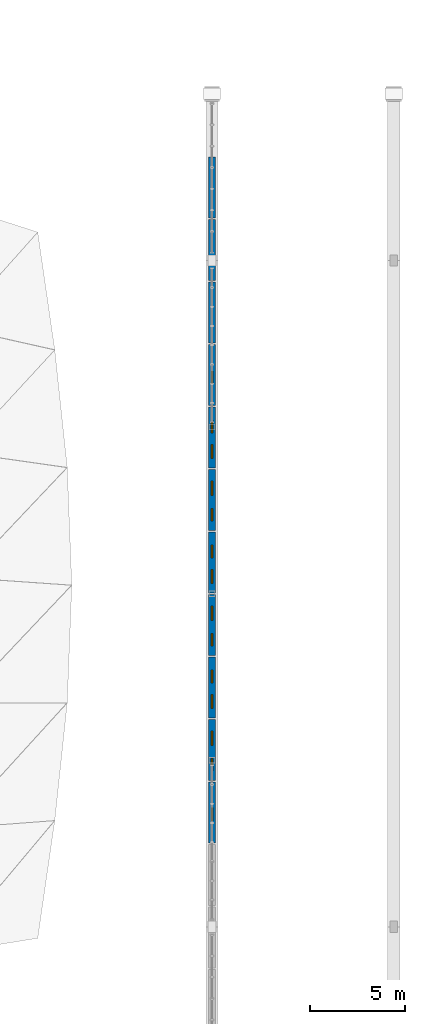
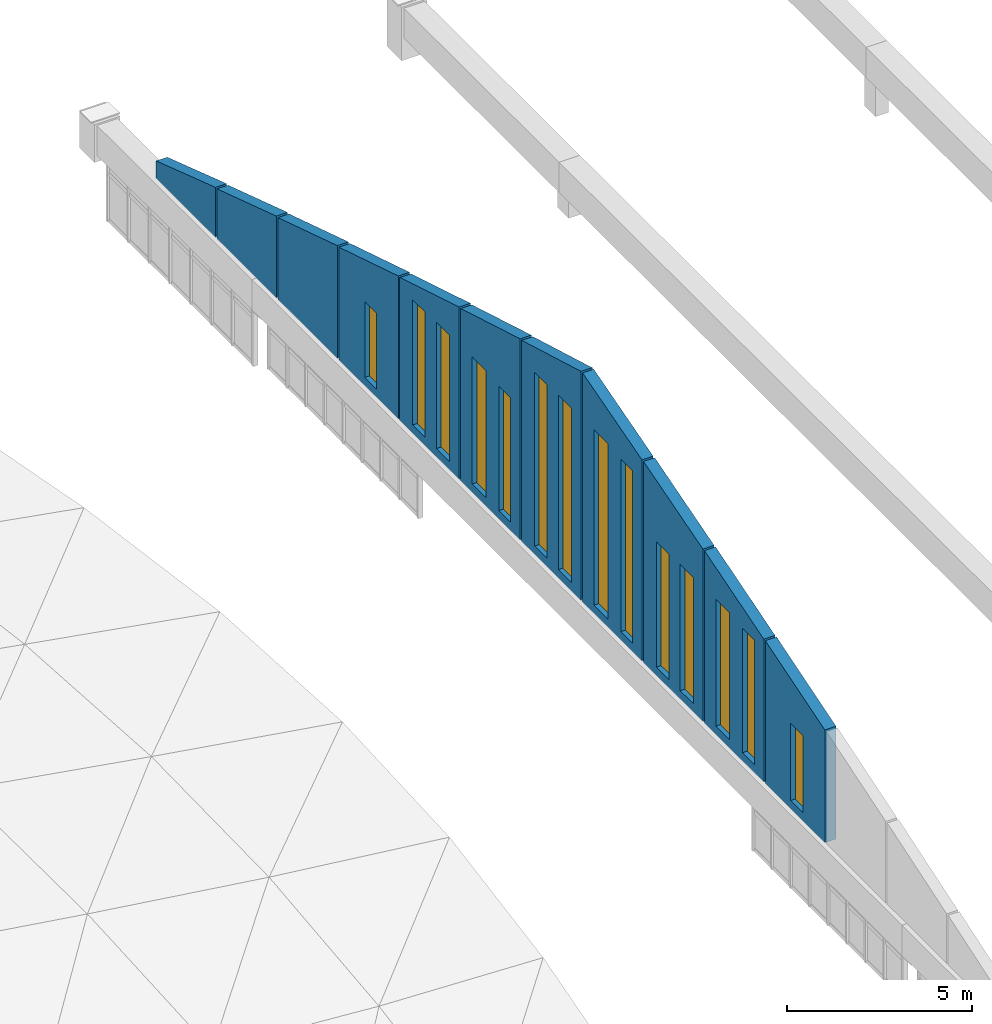
# One storey, part 58 of 65: 14 windows, 11 walls, 14 openings.
"""IFC4 building model written with IfcOpenShell, lengths in metres."""

from ifc_helpers import new_model, si_unit, direction, frame, frame_2d, origin, place, context, subcontext, project, spatial, polyline, rectangle, outline, extrude, material, layer, layer_set, type_object, element, fill, save


model = new_model("IFC4")

# Units and contexts
model_context = context("Model", 3, precision=1e-05, world=origin(), true_north=direction((0.0, 1.0)))
body_context = subcontext(model_context, "Body", "Model", "MODEL_VIEW")
ifc_project = project(units=[si_unit("LENGTHUNIT", "METRE"), si_unit("AREAUNIT", "SQUARE_METRE"), si_unit("VOLUMEUNIT", "CUBIC_METRE"), si_unit("PLANEANGLEUNIT", "RADIAN"), si_unit("MASSUNIT", "GRAM", prefix="KILO")], contexts=[model_context])

# Site, building, storey
site_placement = place(None, origin())
site = spatial("IfcSite", under=ifc_project, at=site_placement, CompositionType="ELEMENT")
building_placement = place(site_placement, origin())
building = spatial("IfcBuilding", under=site, at=building_placement, Name="Chalmorin Arch Market", CompositionType="ELEMENT")
storey_placement = place(building_placement, frame((0.0, 0.0, 14.10009765625)))
storey = spatial("IfcBuildingStorey", under=building, at=storey_placement, Name="L03", CompositionType="ELEMENT", Elevation=14.10009765625)

# Wall, opening, window
ifc_material_1 = material(Name="Concrete C35/45", Category="concrete")
ifc_layer = layer(ifc_material_1, 0.35009765625)
ifc_layer_set = layer_set([ifc_layer], Name="Concrete C35/45")
wall_type = type_object("IfcWallType", Name="PlinthPerimeterWall-350", PredefinedType="SOLIDWALL", material=ifc_layer_set)
wall_1_placement = place(storey_placement, frame((48.0, 19.239990234375, 1.179931640625), z_axis=(0.0, 0.0, 1.0), x_axis=(0.0, 1.0, 0.0)))
wall_1 = element("IfcWall", 1, at=wall_1_placement, inside=storey, type_object=wall_type, Name="PPW-350-126", PredefinedType="SOLIDWALL", context=body_context, shape_type="SweptSolid", body=[
    extrude(outline(polyline([(0.0, 0.0), (3.219970703125, 0.0), (3.219970703125, 4.732177734375), (0.0, 3.732421875), (0.0, 0.0)])), frame((0.0, 0.175048828125, 0.0), z_axis=(0.0, -1.0, 0.0), x_axis=(1.0, 0.0, 0.0)), (0.0, 0.0, 1.0), 0.35009765625),
])
opening_1_placement = place(wall_1_placement, frame((1.179931640625, 0.0, 0.280029296875)))
opening_1 = element("IfcOpeningElement", 2, at=opening_1_placement, cuts=wall_1, Name="Opening WN-066", PredefinedType="OPENING", context=body_context, shape_type="SweptSolid", body=[
    extrude(rectangle(XDim=0.669921875, YDim=2.5400390625, at=frame_2d((0.3349609375, 1.27001953125))), frame((0.0, 0.18505859375, 0.0), z_axis=(0.0, -1.0, 0.0), x_axis=(1.0, 0.0, 0.0)), (0.0, 0.0, 1.0), 0.3701171875),
])
ifc_material_2 = material(Name="Low-E Tempered Glass", Category="glass")
window_type_1 = type_object("IfcWindowType", Name="GableLancetWindow-750x2600-670x2540", PartitioningType="SINGLE_PANEL", PredefinedType="WINDOW", material=ifc_material_2)
window_1_placement = place(opening_1_placement, origin())
window_1 = element("IfcWindow", 3, at=window_1_placement, inside=storey, type_object=window_type_1, Name="WN-066", OverallHeight=2.5400390625, OverallWidth=0.669921875, PartitioningType="SINGLE_PANEL", PredefinedType="WINDOW", context=body_context, shape_type="SweptSolid", body=[
    extrude(rectangle(XDim=0.669921875, YDim=2.5400390625, at=frame_2d((0.3349609375, 1.27001953125))), frame((0.0, 0.030029296875, 0.0), z_axis=(0.0, -1.0, 0.0), x_axis=(1.0, 0.0, 0.0)), (0.0, 0.0, 1.0), 0.06005859375),
])
fill(opening_1, window_1)

# Wall, openings, windows
wall_2_placement = place(storey_placement, frame((48.0, 22.5400390625, 1.179931640625), z_axis=(0.0, 0.0, 1.0), x_axis=(0.0, 1.0, 0.0)))
wall_2 = element("IfcWall", 4, at=wall_2_placement, inside=storey, type_object=wall_type, Name="PPW-350-127", PredefinedType="SOLIDWALL", context=body_context, shape_type="SweptSolid", body=[
    extrude(outline(polyline([(0.0, 0.0), (3.219970703125, 0.0), (3.219970703125, 5.706787109375), (0.0, 4.732177734375), (0.0, 0.0)])), frame((0.0, 0.175048828125, 0.0), z_axis=(0.0, -1.0, 0.0), x_axis=(1.0, 0.0, 0.0)), (0.0, 0.0, 1.0), 0.35009765625),
])
opening_2_placement = place(wall_2_placement, frame((0.52001953125, 0.0, 0.280029296875)))
opening_2 = element("IfcOpeningElement", 5, at=opening_2_placement, cuts=wall_2, Name="Opening WN-067", PredefinedType="OPENING", context=body_context, shape_type="SweptSolid", body=[
    extrude(rectangle(XDim=0.6298828125, YDim=4.110107421875, at=frame_2d((0.31494140625, 2.05517578125))), frame((0.0, 0.18505859375, 0.0), z_axis=(0.0, -1.0, 0.0), x_axis=(1.0, 0.0, 0.0)), (0.0, 0.0, 1.0), 0.3701171875),
])
opening_3_placement = place(wall_2_placement, frame((1.85009765625, 0.0, 0.280029296875)))
opening_3 = element("IfcOpeningElement", 6, at=opening_3_placement, cuts=wall_2, Name="Opening WN-068", PredefinedType="OPENING", context=body_context, shape_type="SweptSolid", body=[
    extrude(rectangle(XDim=0.75, YDim=4.199951171875, at=frame_2d((0.375, 2.10009765625))), frame((0.0, 0.18505859375, 0.0), z_axis=(0.0, -1.0, 0.0), x_axis=(1.0, 0.0, 0.0)), (0.0, 0.0, 1.0), 0.3701171875),
])
window_type_2 = type_object("IfcWindowType", Name="GableLancetWindow-750x4200", PartitioningType="SINGLE_PANEL", PredefinedType="WINDOW", material=ifc_material_2)
window_2_placement = place(opening_3_placement, origin())
window_2 = element("IfcWindow", 7, at=window_2_placement, inside=storey, type_object=window_type_2, Name="WN-068", OverallHeight=4.199951171875, OverallWidth=0.75, PartitioningType="SINGLE_PANEL", PredefinedType="WINDOW", context=body_context, shape_type="SweptSolid", body=[
    extrude(rectangle(XDim=0.75, YDim=4.199951171875, at=frame_2d((0.375, 2.10009765625))), frame((0.0, 0.030029296875, 0.0), z_axis=(0.0, -1.0, 0.0), x_axis=(1.0, 0.0, 0.0)), (0.0, 0.0, 1.0), 0.06005859375),
])
fill(opening_3, window_2)
window_type_3 = type_object("IfcWindowType", Name="GableLancetWindow-750x4200-630x4110", PartitioningType="SINGLE_PANEL", PredefinedType="WINDOW", material=ifc_material_2)
window_3_placement = place(opening_2_placement, origin())
window_3 = element("IfcWindow", 8, at=window_3_placement, inside=storey, type_object=window_type_3, Name="WN-067", OverallHeight=4.110107421875, OverallWidth=0.6298828125, PartitioningType="SINGLE_PANEL", PredefinedType="WINDOW", context=body_context, shape_type="SweptSolid", body=[
    extrude(rectangle(XDim=0.6298828125, YDim=4.110107421875, at=frame_2d((0.31494140625, 2.05517578125))), frame((0.0, 0.030029296875, 0.0), z_axis=(0.0, -1.0, 0.0), x_axis=(1.0, 0.0, 0.0)), (0.0, 0.0, 1.0), 0.06005859375),
])
fill(opening_2, window_3)

wall_3_placement = place(storey_placement, frame((48.0, 25.840087890625, 1.179931640625), z_axis=(0.0, 0.0, 1.0), x_axis=(0.0, 1.0, 0.0)))
wall_3 = element("IfcWall", 9, at=wall_3_placement, inside=storey, type_object=wall_type, Name="PPW-350-128", PredefinedType="SOLIDWALL", context=body_context, shape_type="SweptSolid", body=[
    extrude(outline(polyline([(0.0, 0.0), (3.219970703125, 0.0), (3.219970703125, 6.656005859375), (0.0, 5.706787109375), (0.0, 0.0)])), frame((0.0, 0.175048828125, 0.0), z_axis=(0.0, -1.0, 0.0), x_axis=(1.0, 0.0, 0.0)), (0.0, 0.0, 1.0), 0.35009765625),
])
opening_4_placement = place(wall_3_placement, frame((0.52001953125, 0.0, 0.280029296875)))
opening_4 = element("IfcOpeningElement", 10, at=opening_4_placement, cuts=wall_3, Name="Opening WN-069", PredefinedType="OPENING", context=body_context, shape_type="SweptSolid", body=[
    extrude(rectangle(XDim=0.7099609375, YDim=4.169921875, at=frame_2d((0.35498046875, 2.0849609375))), frame((0.0, 0.18505859375, 0.0), z_axis=(0.0, -1.0, 0.0), x_axis=(1.0, 0.0, 0.0)), (0.0, 0.0, 1.0), 0.3701171875),
])
opening_5_placement = place(wall_3_placement, frame((1.85009765625, 0.0, 0.280029296875)))
opening_5 = element("IfcOpeningElement", 11, at=opening_5_placement, cuts=wall_3, Name="Opening WN-070", PredefinedType="OPENING", context=body_context, shape_type="SweptSolid", body=[
    extrude(rectangle(XDim=0.669921875, YDim=4.139892578125, at=frame_2d((0.3349609375, 2.06982421875))), frame((0.0, 0.18505859375, 0.0), z_axis=(0.0, -1.0, 0.0), x_axis=(1.0, 0.0, 0.0)), (0.0, 0.0, 1.0), 0.3701171875),
])
window_type_4 = type_object("IfcWindowType", Name="GableLancetWindow-750x4200-670x4140", PartitioningType="SINGLE_PANEL", PredefinedType="WINDOW", material=ifc_material_2)
window_4_placement = place(opening_5_placement, origin())
window_4 = element("IfcWindow", 12, at=window_4_placement, inside=storey, type_object=window_type_4, Name="WN-070", OverallHeight=4.139892578125, OverallWidth=0.669921875, PartitioningType="SINGLE_PANEL", PredefinedType="WINDOW", context=body_context, shape_type="SweptSolid", body=[
    extrude(rectangle(XDim=0.669921875, YDim=4.139892578125, at=frame_2d((0.3349609375, 2.06982421875))), frame((0.0, 0.030029296875, 0.0), z_axis=(0.0, -1.0, 0.0), x_axis=(1.0, 0.0, 0.0)), (0.0, 0.0, 1.0), 0.06005859375),
])
fill(opening_5, window_4)
window_type_5 = type_object("IfcWindowType", Name="GableLancetWindow-750x4200-710x4170", PartitioningType="SINGLE_PANEL", PredefinedType="WINDOW", material=ifc_material_2)
window_5_placement = place(opening_4_placement, origin())
window_5 = element("IfcWindow", 13, at=window_5_placement, inside=storey, type_object=window_type_5, Name="WN-069", OverallHeight=4.169921875, OverallWidth=0.7099609375, PartitioningType="SINGLE_PANEL", PredefinedType="WINDOW", context=body_context, shape_type="SweptSolid", body=[
    extrude(rectangle(XDim=0.7099609375, YDim=4.169921875, at=frame_2d((0.35498046875, 2.0849609375))), frame((0.0, 0.030029296875, 0.0), z_axis=(0.0, -1.0, 0.0), x_axis=(1.0, 0.0, 0.0)), (0.0, 0.0, 1.0), 0.06005859375),
])
fill(opening_4, window_5)

wall_4_placement = place(storey_placement, frame((48.0, 29.139892578125, 1.179931640625), z_axis=(0.0, 0.0, 1.0), x_axis=(0.0, 1.0, 0.0)))
wall_4 = element("IfcWall", 14, at=wall_4_placement, inside=storey, type_object=wall_type, Name="PPW-350-129", PredefinedType="SOLIDWALL", context=body_context, shape_type="SweptSolid", body=[
    extrude(outline(polyline([(0.0, 0.0), (3.22021484375, 0.0), (3.219970703125, 7.580078125), (0.0, 6.656005859375), (0.0, 0.0)])), frame((0.0, 0.175048828125, 0.0), z_axis=(0.0, -1.0, 0.0), x_axis=(1.0, 0.0, 0.0)), (0.0, 0.0, 1.0), 0.35009765625),
])
opening_6_placement = place(wall_4_placement, frame((0.52001953125, 0.0, 0.280029296875)))
opening_6 = element("IfcOpeningElement", 15, at=opening_6_placement, cuts=wall_4, Name="Opening WN-071", PredefinedType="OPENING", context=body_context, shape_type="SweptSolid", body=[
    extrude(rectangle(XDim=0.6298828125, YDim=5.7099609375, at=frame_2d((0.31494140625, 2.85498046875))), frame((0.0, 0.18505859375, 0.0), z_axis=(0.0, -1.0, 0.0), x_axis=(1.0, 0.0, 0.0)), (0.0, 0.0, 1.0), 0.3701171875),
])
opening_7_placement = place(wall_4_placement, frame((1.85009765625, 0.0, 0.280029296875)))
opening_7 = element("IfcOpeningElement", 16, at=opening_7_placement, cuts=wall_4, Name="Opening WN-072", PredefinedType="OPENING", context=body_context, shape_type="SweptSolid", body=[
    extrude(rectangle(XDim=0.75, YDim=5.800048828125, at=frame_2d((0.375, 2.89990234375))), frame((0.0, 0.18505859375, 0.0), z_axis=(0.0, -1.0, 0.0), x_axis=(1.0, 0.0, 0.0)), (0.0, 0.0, 1.0), 0.3701171875),
])
window_type_6 = type_object("IfcWindowType", Name="GableLancetWindow-750x5800", PartitioningType="SINGLE_PANEL", PredefinedType="WINDOW", material=ifc_material_2)
window_6_placement = place(opening_7_placement, origin())
window_6 = element("IfcWindow", 17, at=window_6_placement, inside=storey, type_object=window_type_6, Name="WN-072", OverallHeight=5.800048828125, OverallWidth=0.75, PartitioningType="SINGLE_PANEL", PredefinedType="WINDOW", context=body_context, shape_type="SweptSolid", body=[
    extrude(rectangle(XDim=0.75, YDim=5.800048828125, at=frame_2d((0.375, 2.89990234375))), frame((0.0, 0.030029296875, 0.0), z_axis=(0.0, -1.0, 0.0), x_axis=(1.0, 0.0, 0.0)), (0.0, 0.0, 1.0), 0.06005859375),
])
fill(opening_7, window_6)
window_type_7 = type_object("IfcWindowType", Name="GableLancetWindow-750x5800-630x5710", PartitioningType="SINGLE_PANEL", PredefinedType="WINDOW", material=ifc_material_2)
window_7_placement = place(opening_6_placement, origin())
window_7 = element("IfcWindow", 18, at=window_7_placement, inside=storey, type_object=window_type_7, Name="WN-071", OverallHeight=5.7099609375, OverallWidth=0.6298828125, PartitioningType="SINGLE_PANEL", PredefinedType="WINDOW", context=body_context, shape_type="SweptSolid", body=[
    extrude(rectangle(XDim=0.6298828125, YDim=5.7099609375, at=frame_2d((0.31494140625, 2.85498046875))), frame((0.0, 0.030029296875, 0.0), z_axis=(0.0, -1.0, 0.0), x_axis=(1.0, 0.0, 0.0)), (0.0, 0.0, 1.0), 0.06005859375),
])
fill(opening_6, window_7)

wall_5_placement = place(storey_placement, frame((48.0, 32.43994140625, 1.179931640625), z_axis=(0.0, 0.0, 1.0), x_axis=(0.0, 1.0, 0.0)))
wall_5 = element("IfcWall", 19, at=wall_5_placement, inside=storey, type_object=wall_type, Name="PPW-350-130", PredefinedType="SOLIDWALL", context=body_context, shape_type="SweptSolid", body=[
    extrude(outline(polyline([(0.0, 0.0), (3.219970703125, 0.0), (3.219970703125, 6.656005859375), (0.0, 7.580078125), (0.0, 0.0)])), frame((0.0, 0.175048828125, 0.0), z_axis=(0.0, -1.0, 0.0), x_axis=(1.0, 0.0, 0.0)), (0.0, 0.0, 1.0), 0.35009765625),
])
opening_8_placement = place(wall_5_placement, frame((0.52001953125, 0.0, 0.280029296875)))
opening_8 = element("IfcOpeningElement", 20, at=opening_8_placement, cuts=wall_5, Name="Opening WN-073", PredefinedType="OPENING", context=body_context, shape_type="SweptSolid", body=[
    extrude(rectangle(XDim=0.7099609375, YDim=5.77001953125, at=frame_2d((0.35498046875, 2.885009765625))), frame((0.0, 0.18505859375, 0.0), z_axis=(0.0, -1.0, 0.0), x_axis=(1.0, 0.0, 0.0)), (0.0, 0.0, 1.0), 0.3701171875),
])
opening_9_placement = place(wall_5_placement, frame((1.85009765625, 0.0, 0.280029296875)))
opening_9 = element("IfcOpeningElement", 21, at=opening_9_placement, cuts=wall_5, Name="Opening WN-074", PredefinedType="OPENING", context=body_context, shape_type="SweptSolid", body=[
    extrude(rectangle(XDim=0.669921875, YDim=5.739990234375, at=frame_2d((0.3349609375, 2.8701171875))), frame((0.0, 0.18505859375, 0.0), z_axis=(0.0, -1.0, 0.0), x_axis=(1.0, 0.0, 0.0)), (0.0, 0.0, 1.0), 0.3701171875),
])
window_type_8 = type_object("IfcWindowType", Name="GableLancetWindow-750x5800-670x5740", PartitioningType="SINGLE_PANEL", PredefinedType="WINDOW", material=ifc_material_2)
window_8_placement = place(opening_9_placement, origin())
window_8 = element("IfcWindow", 22, at=window_8_placement, inside=storey, type_object=window_type_8, Name="WN-074", OverallHeight=5.739990234375, OverallWidth=0.669921875, PartitioningType="SINGLE_PANEL", PredefinedType="WINDOW", context=body_context, shape_type="SweptSolid", body=[
    extrude(rectangle(XDim=0.669921875, YDim=5.739990234375, at=frame_2d((0.3349609375, 2.8701171875))), frame((0.0, 0.030029296875, 0.0), z_axis=(0.0, -1.0, 0.0), x_axis=(1.0, 0.0, 0.0)), (0.0, 0.0, 1.0), 0.06005859375),
])
fill(opening_9, window_8)
window_type_9 = type_object("IfcWindowType", Name="GableLancetWindow-750x5800-710x5770", PartitioningType="SINGLE_PANEL", PredefinedType="WINDOW", material=ifc_material_2)
window_9_placement = place(opening_8_placement, origin())
window_9 = element("IfcWindow", 23, at=window_9_placement, inside=storey, type_object=window_type_9, Name="WN-073", OverallHeight=5.77001953125, OverallWidth=0.7099609375, PartitioningType="SINGLE_PANEL", PredefinedType="WINDOW", context=body_context, shape_type="SweptSolid", body=[
    extrude(rectangle(XDim=0.7099609375, YDim=5.77001953125, at=frame_2d((0.35498046875, 2.885009765625))), frame((0.0, 0.030029296875, 0.0), z_axis=(0.0, -1.0, 0.0), x_axis=(1.0, 0.0, 0.0)), (0.0, 0.0, 1.0), 0.06005859375),
])
fill(opening_8, window_9)

wall_6_placement = place(storey_placement, frame((48.0, 35.739990234375, 1.179931640625), z_axis=(0.0, 0.0, 1.0), x_axis=(0.0, 1.0, 0.0)))
wall_6 = element("IfcWall", 24, at=wall_6_placement, inside=storey, type_object=wall_type, Name="PPW-350-131", PredefinedType="SOLIDWALL", context=body_context, shape_type="SweptSolid", body=[
    extrude(outline(polyline([(0.0, 0.0), (3.219970703125, 0.0), (3.219970703125, 5.706787109375), (0.0, 6.656005859375), (0.0, 0.0)])), frame((0.0, 0.175048828125, 0.0), z_axis=(0.0, -1.0, 0.0), x_axis=(1.0, 0.0, 0.0)), (0.0, 0.0, 1.0), 0.35009765625),
])
opening_10_placement = place(wall_6_placement, frame((0.52001953125, 0.0, 0.280029296875)))
opening_10 = element("IfcOpeningElement", 25, at=opening_10_placement, cuts=wall_6, Name="Opening WN-075", PredefinedType="OPENING", context=body_context, shape_type="SweptSolid", body=[
    extrude(rectangle(XDim=0.6298828125, YDim=4.110107421875, at=frame_2d((0.31494140625, 2.05517578125))), frame((0.0, 0.18505859375, 0.0), z_axis=(0.0, -1.0, 0.0), x_axis=(1.0, 0.0, 0.0)), (0.0, 0.0, 1.0), 0.3701171875),
])
opening_11_placement = place(wall_6_placement, frame((1.85009765625, 0.0, 0.280029296875)))
opening_11 = element("IfcOpeningElement", 26, at=opening_11_placement, cuts=wall_6, Name="Opening WN-076", PredefinedType="OPENING", context=body_context, shape_type="SweptSolid", body=[
    extrude(rectangle(XDim=0.75, YDim=4.199951171875, at=frame_2d((0.375, 2.10009765625))), frame((0.0, 0.18505859375, 0.0), z_axis=(0.0, -1.0, 0.0), x_axis=(1.0, 0.0, 0.0)), (0.0, 0.0, 1.0), 0.3701171875),
])
window_10_placement = place(opening_11_placement, origin())
window_10 = element("IfcWindow", 27, at=window_10_placement, inside=storey, type_object=window_type_2, Name="WN-076", OverallHeight=4.199951171875, OverallWidth=0.75, PartitioningType="SINGLE_PANEL", PredefinedType="WINDOW", context=body_context, shape_type="SweptSolid", body=[
    extrude(rectangle(XDim=0.75, YDim=4.199951171875, at=frame_2d((0.375, 2.10009765625))), frame((0.0, 0.030029296875, 0.0), z_axis=(0.0, -1.0, 0.0), x_axis=(1.0, 0.0, 0.0)), (0.0, 0.0, 1.0), 0.06005859375),
])
fill(opening_11, window_10)
window_11_placement = place(opening_10_placement, origin())
window_11 = element("IfcWindow", 28, at=window_11_placement, inside=storey, type_object=window_type_3, Name="WN-075", OverallHeight=4.110107421875, OverallWidth=0.6298828125, PartitioningType="SINGLE_PANEL", PredefinedType="WINDOW", context=body_context, shape_type="SweptSolid", body=[
    extrude(rectangle(XDim=0.6298828125, YDim=4.110107421875, at=frame_2d((0.31494140625, 2.05517578125))), frame((0.0, 0.030029296875, 0.0), z_axis=(0.0, -1.0, 0.0), x_axis=(1.0, 0.0, 0.0)), (0.0, 0.0, 1.0), 0.06005859375),
])
fill(opening_10, window_11)

wall_7_placement = place(storey_placement, frame((48.0, 39.0400390625, 1.179931640625), z_axis=(0.0, 0.0, 1.0), x_axis=(0.0, 1.0, 0.0)))
wall_7 = element("IfcWall", 29, at=wall_7_placement, inside=storey, type_object=wall_type, Name="PPW-350-132", PredefinedType="SOLIDWALL", context=body_context, shape_type="SweptSolid", body=[
    extrude(outline(polyline([(0.0, 0.0), (3.219970703125, 0.0), (3.219970703125, 4.732177734375), (0.0, 5.706787109375), (0.0, 0.0)])), frame((0.0, 0.175048828125, 0.0), z_axis=(0.0, -1.0, 0.0), x_axis=(1.0, 0.0, 0.0)), (0.0, 0.0, 1.0), 0.35009765625),
])
opening_12_placement = place(wall_7_placement, frame((0.52001953125, 0.0, 0.280029296875)))
opening_12 = element("IfcOpeningElement", 30, at=opening_12_placement, cuts=wall_7, Name="Opening WN-077", PredefinedType="OPENING", context=body_context, shape_type="SweptSolid", body=[
    extrude(rectangle(XDim=0.7099609375, YDim=4.169921875, at=frame_2d((0.35498046875, 2.0849609375))), frame((0.0, 0.18505859375, 0.0), z_axis=(0.0, -1.0, 0.0), x_axis=(1.0, 0.0, 0.0)), (0.0, 0.0, 1.0), 0.3701171875),
])
opening_13_placement = place(wall_7_placement, frame((1.85009765625, 0.0, 0.280029296875)))
opening_13 = element("IfcOpeningElement", 31, at=opening_13_placement, cuts=wall_7, Name="Opening WN-078", PredefinedType="OPENING", context=body_context, shape_type="SweptSolid", body=[
    extrude(rectangle(XDim=0.669921875, YDim=4.139892578125, at=frame_2d((0.3349609375, 2.06982421875))), frame((0.0, 0.18505859375, 0.0), z_axis=(0.0, -1.0, 0.0), x_axis=(1.0, 0.0, 0.0)), (0.0, 0.0, 1.0), 0.3701171875),
])
window_12_placement = place(opening_13_placement, origin())
window_12 = element("IfcWindow", 32, at=window_12_placement, inside=storey, type_object=window_type_4, Name="WN-078", OverallHeight=4.139892578125, OverallWidth=0.669921875, PartitioningType="SINGLE_PANEL", PredefinedType="WINDOW", context=body_context, shape_type="SweptSolid", body=[
    extrude(rectangle(XDim=0.669921875, YDim=4.139892578125, at=frame_2d((0.3349609375, 2.06982421875))), frame((0.0, 0.030029296875, 0.0), z_axis=(0.0, -1.0, 0.0), x_axis=(1.0, 0.0, 0.0)), (0.0, 0.0, 1.0), 0.06005859375),
])
fill(opening_13, window_12)
window_13_placement = place(opening_12_placement, origin())
window_13 = element("IfcWindow", 33, at=window_13_placement, inside=storey, type_object=window_type_5, Name="WN-077", OverallHeight=4.169921875, OverallWidth=0.7099609375, PartitioningType="SINGLE_PANEL", PredefinedType="WINDOW", context=body_context, shape_type="SweptSolid", body=[
    extrude(rectangle(XDim=0.7099609375, YDim=4.169921875, at=frame_2d((0.35498046875, 2.0849609375))), frame((0.0, 0.030029296875, 0.0), z_axis=(0.0, -1.0, 0.0), x_axis=(1.0, 0.0, 0.0)), (0.0, 0.0, 1.0), 0.06005859375),
])
fill(opening_12, window_13)

# Wall, opening, window
wall_8_placement = place(storey_placement, frame((48.0, 42.340087890625, 1.179931640625), z_axis=(0.0, 0.0, 1.0), x_axis=(0.0, 1.0, 0.0)))
wall_8 = element("IfcWall", 34, at=wall_8_placement, inside=storey, type_object=wall_type, Name="PPW-350-133", PredefinedType="SOLIDWALL", context=body_context, shape_type="SweptSolid", body=[
    extrude(outline(polyline([(0.0, 0.0), (3.219970703125, 0.0), (3.219970703125, 3.732421875), (0.0, 4.732177734375), (0.0, 0.0)])), frame((0.0, 0.175048828125, 0.0), z_axis=(0.0, -1.0, 0.0), x_axis=(1.0, 0.0, 0.0)), (0.0, 0.0, 1.0), 0.35009765625),
])
opening_14_placement = place(wall_8_placement, frame((1.179931640625, 0.0, 0.280029296875)))
opening_14 = element("IfcOpeningElement", 35, at=opening_14_placement, cuts=wall_8, Name="Opening WN-079", PredefinedType="OPENING", context=body_context, shape_type="SweptSolid", body=[
    extrude(rectangle(XDim=0.6298828125, YDim=2.510009765625, at=frame_2d((0.31494140625, 1.2548828125))), frame((0.0, 0.18505859375, 0.0), z_axis=(0.0, -1.0, 0.0), x_axis=(1.0, 0.0, 0.0)), (0.0, 0.0, 1.0), 0.3701171875),
])
window_type_10 = type_object("IfcWindowType", Name="GableLancetWindow-750x2600-630x2510", PartitioningType="SINGLE_PANEL", PredefinedType="WINDOW", material=ifc_material_2)
window_14_placement = place(opening_14_placement, origin())
window_14 = element("IfcWindow", 36, at=window_14_placement, inside=storey, type_object=window_type_10, Name="WN-079", OverallHeight=2.510009765625, OverallWidth=0.6298828125, PartitioningType="SINGLE_PANEL", PredefinedType="WINDOW", context=body_context, shape_type="SweptSolid", body=[
    extrude(rectangle(XDim=0.6298828125, YDim=2.510009765625, at=frame_2d((0.31494140625, 1.2548828125))), frame((0.0, 0.030029296875, 0.0), z_axis=(0.0, -1.0, 0.0), x_axis=(1.0, 0.0, 0.0)), (0.0, 0.0, 1.0), 0.06005859375),
])
fill(opening_14, window_14)

# Walls
wall_9_placement = place(storey_placement, frame((48.0, 45.639892578125, 1.179931640625), z_axis=(0.0, 0.0, 1.0), x_axis=(0.0, 1.0, 0.0)))
element("IfcWall", 37, at=wall_9_placement, inside=storey, type_object=wall_type, Name="PPW-350-134", PredefinedType="SOLIDWALL", context=body_context, shape_type="SweptSolid", body=[
    extrude(outline(polyline([(0.0, 0.0), (3.22021484375, 0.0), (3.219970703125, 2.707275390625), (0.0, 3.732421875), (0.0, 0.0)])), frame((0.0, 0.175048828125, 0.0), z_axis=(0.0, -1.0, 0.0), x_axis=(1.0, 0.0, 0.0)), (0.0, 0.0, 1.0), 0.35009765625),
])
wall_10_placement = place(storey_placement, frame((48.0, 48.93994140625, 1.179931640625), z_axis=(0.0, 0.0, 1.0), x_axis=(0.0, 1.0, 0.0)))
element("IfcWall", 38, at=wall_10_placement, inside=storey, type_object=wall_type, Name="PPW-350-135", PredefinedType="SOLIDWALL", context=body_context, shape_type="SweptSolid", body=[
    extrude(outline(polyline([(0.0, 0.0), (3.219970703125, 0.0), (3.219970703125, 1.656982421875), (0.0, 2.707275390625), (0.0, 0.0)])), frame((0.0, 0.175048828125, 0.0), z_axis=(0.0, -1.0, 0.0), x_axis=(1.0, 0.0, 0.0)), (0.0, 0.0, 1.0), 0.35009765625),
])
wall_11_placement = place(storey_placement, frame((48.0, 52.239990234375, 1.179931640625), z_axis=(0.0, 0.0, 1.0), x_axis=(0.0, 1.0, 0.0)))
element("IfcWall", 39, at=wall_11_placement, inside=storey, type_object=wall_type, Name="PPW-350-136", PredefinedType="SOLIDWALL", context=body_context, shape_type="SweptSolid", body=[
    extrude(outline(polyline([(0.0, 0.0), (3.219970703125, 0.0), (3.219970703125, 0.5810546875), (0.0, 1.656982421875), (0.0, 0.0)])), frame((0.0, 0.175048828125, 0.0), z_axis=(0.0, -1.0, 0.0), x_axis=(1.0, 0.0, 0.0)), (0.0, 0.0, 1.0), 0.35009765625),
])

save(model, "model.ifc")
